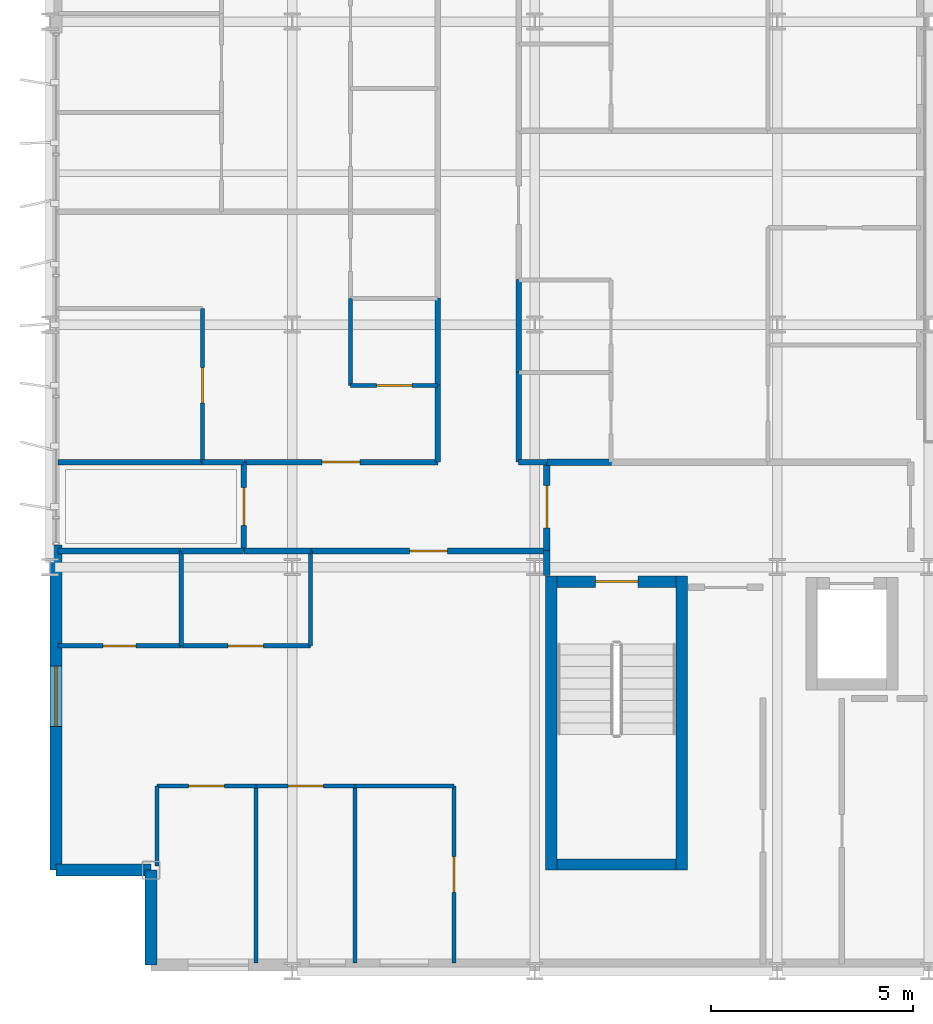
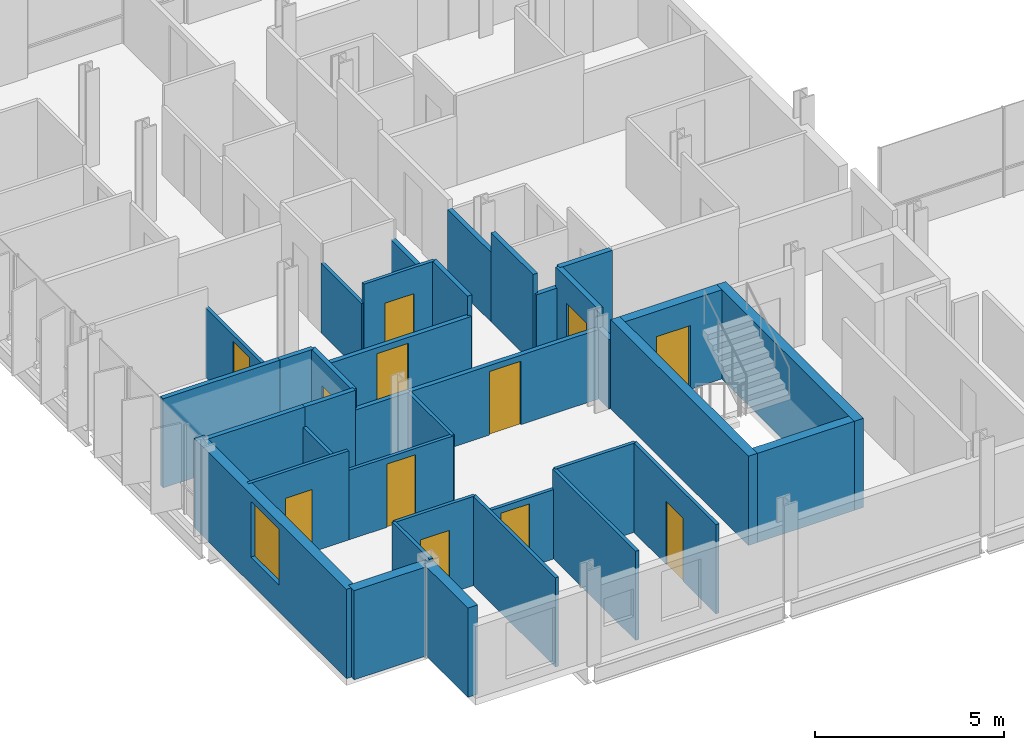
# One storey, part 27 of 38: 37 walls, 12 doors, 1 window, 13 openings.
"""IFC4 building model written with IfcOpenShell, lengths in metres."""

from ifc_helpers import new_model, si_unit, direction, frame, frame_2d, origin, place, context, subcontext, project, spatial, rectangle, extrude, material, layer, layer_set, type_object, element, fill, save


model = new_model("IFC4")

# Units and contexts
model_context = context("Model", 3, precision=1e-05, world=origin(), true_north=direction((0.0, 1.0)))
body_context = subcontext(model_context, "Body", "Model", "MODEL_VIEW")
ifc_project = project(units=[si_unit("LENGTHUNIT", "METRE"), si_unit("AREAUNIT", "SQUARE_METRE"), si_unit("VOLUMEUNIT", "CUBIC_METRE"), si_unit("PLANEANGLEUNIT", "RADIAN"), si_unit("MASSUNIT", "GRAM", prefix="KILO")], contexts=[model_context])

# Site, building, storey
site_placement = place(None, origin())
site = spatial("IfcSite", under=ifc_project, at=site_placement, CompositionType="ELEMENT")
building_placement = place(site_placement, origin())
building = spatial("IfcBuilding", under=site, at=building_placement, Name="Brevholm Reach", CompositionType="ELEMENT")
storey_placement = place(building_placement, frame((0.0, 0.0, 128.300048828125)))
storey = spatial("IfcBuildingStorey", under=building, at=storey_placement, Name="L38", CompositionType="ELEMENT", Elevation=128.300048828125)

# Walls
ifc_material_1 = material(Name="Concrete C50/60", Category="concrete")
ifc_layer_1 = layer(ifc_material_1, 0.280029296875)
ifc_layer_set_1 = layer_set([ifc_layer_1], Name="Concrete C50/60")
wall_type_1 = type_object("IfcWallType", Name="WAL-COR-280", PredefinedType="SHEAR", material=ifc_layer_set_1)
for number, where, z_axis, x_axis, name in (
    (1, (12.409912109375, 2.5, 0.0), (0.0, 0.0, 1.0), (0.0, 1.0, 0.0), "L38 Escape Stair ST-1 Core Wall W"),
    (2, (15.639892578125, 2.5, 0.0), (0.0, 0.0, 1.0), (0.0, 1.0, 0.0), "L38 Escape Stair ST-1 Core Wall E"),
):
    element("IfcWall", number, at=place(storey_placement, frame(where, z_axis=z_axis, x_axis=x_axis)), inside=storey, type_object=wall_type_1, Name=name, PredefinedType="SHEAR", context=body_context, shape_type="SweptSolid", body=[
        extrude(rectangle(XDim=7.280029296875, YDim=0.280029296875, at=frame_2d((3.64013671875, 0.0))), origin(), (0.0, 0.0, 1.0), 2.8798828125),
    ])
wall_1_placement = place(storey_placement, frame((12.550048828125, 2.639892578125, 0.0), z_axis=(0.0, 0.0, 1.0), x_axis=(1.0, 0.0, 0.0)))
element("IfcWall", 3, at=wall_1_placement, inside=storey, type_object=wall_type_1, Name="L38 Escape Stair ST-1 Core Wall S", PredefinedType="SHEAR", context=body_context, shape_type="SweptSolid", body=[
    extrude(rectangle(XDim=2.949951171875, YDim=0.280029296875, at=frame_2d((1.47509765625, 0.0))), origin(), (0.0, 0.0, 1.0), 2.8798828125),
])

# Wall, opening, door
wall_2_placement = place(storey_placement, frame((15.5, 9.639892578125, 0.0), z_axis=(0.0, 0.0, 1.0), x_axis=(-1.0, 0.0, 0.0)))
wall_2 = element("IfcWall", 4, at=wall_2_placement, inside=storey, type_object=wall_type_1, Name="L38 Escape Stair ST-1 Core Wall N", PredefinedType="SHEAR", context=body_context, shape_type="SweptSolid", body=[
    extrude(rectangle(XDim=2.949951171875, YDim=0.280029296875, at=frame_2d((1.47509765625, 0.0))), origin(), (0.0, 0.0, 1.0), 2.8798828125),
])
opening_1_placement = place(wall_2_placement, frame((0.949951171875, 0.0, 0.0)))
opening_1 = element("IfcOpeningElement", 5, at=opening_1_placement, cuts=wall_2, Name="Opening SD-ST-1", PredefinedType="OPENING", context=body_context, shape_type="SweptSolid", body=[
    extrude(rectangle(XDim=1.050048828125, YDim=2.06005859375, at=frame_2d((0.52490234375, 1.030029296875))), frame((0.0, 0.14990234375, 0.0), z_axis=(0.0, -1.0, 0.0), x_axis=(1.0, 0.0, 0.0)), (0.0, 0.0, 1.0), 0.300048828125),
])
ifc_material_2 = material(Name="Hardwood-Lipped Steel-Core Fire and Smoke Door", Category="steel")
door_type_1 = type_object("IfcDoorType", Name="DOR-INT-FD60S", OperationType="NOTDEFINED", PredefinedType="DOOR", material=ifc_material_2)
door_1_placement = place(opening_1_placement, origin())
door_1 = element("IfcDoor", 6, at=door_1_placement, inside=storey, type_object=door_type_1, Name="L38 Protected Stair ST-1 Lobby Door", OperationType="SINGLE_SWING_RIGHT", OverallHeight=2.06005859375, OverallWidth=1.050048828125, PredefinedType="DOOR", context=body_context, shape_type="SweptSolid", body=[
    extrude(rectangle(XDim=1.050048828125, YDim=2.06005859375, at=frame_2d((0.52490234375, 1.030029296875))), frame((0.0, 0.02490234375, 0.0), z_axis=(0.0, -1.0, 0.0), x_axis=(1.0, 0.0, 0.0)), (0.0, 0.0, 1.0), 0.050048828125),
])
fill(opening_1, door_1)

# Walls
ifc_material_3 = material(Name="Concrete C40/50", Category="concrete")
ifc_layer_2 = layer(ifc_material_3, 0.300048828125)
ifc_layer_set_2 = layer_set([ifc_layer_2], Name="Concrete C40/50")
wall_type_2 = type_object("IfcWallType", Name="WAL-EXT-300", PredefinedType="STANDARD", material=ifc_layer_set_2)
for number, where, z_axis, x_axis, name in (
    (7, (2.5, 2.5, 0.0), (0.0, 0.0, 1.0), (0.0, -1.0, 0.0), "L38 Facade Wall WAL-L38-CSW1"),
    (8, (0.14990234375, 2.5, 0.0), (0.0, 0.0, 1.0), (1.0, 0.0, 0.0), "L38 Facade Wall WAL-L38-CSW2"),
):
    element("IfcWall", number, at=place(storey_placement, frame(where, z_axis=z_axis, x_axis=x_axis)), inside=storey, type_object=wall_type_2, Name=name, PredefinedType="STANDARD", context=body_context, shape_type="SweptSolid", body=[
        extrude(rectangle(XDim=2.35009765625, YDim=0.300048828125, at=frame_2d((1.175048828125, 0.0))), origin(), (0.0, 0.0, 1.0), 2.8798828125),
    ])

# Wall, opening, window
wall_3_placement = place(storey_placement, frame((0.14990234375, 10.550048828125, 0.0), z_axis=(0.0, 0.0, 1.0), x_axis=(0.0, -1.0, 0.0)))
wall_3 = element("IfcWall", 9, at=wall_3_placement, inside=storey, type_object=wall_type_2, Name="L38 Facade Wall WAL-L38-W-S", PredefinedType="STANDARD", context=body_context, shape_type="SweptSolid", body=[
    extrude(rectangle(XDim=8.050048828125, YDim=0.300048828125, at=frame_2d((4.02490234375, 0.0))), origin(), (0.0, 0.0, 1.0), 2.8798828125),
])
opening_2_placement = place(wall_3_placement, frame((3.0, 0.0, 0.860107421875)))
opening_2 = element("IfcOpeningElement", 10, at=opening_2_placement, cuts=wall_3, Name="Opening WN-05", PredefinedType="OPENING", context=body_context, shape_type="SweptSolid", body=[
    extrude(rectangle(XDim=1.5, YDim=1.800048828125, at=frame_2d((0.75, 0.89990234375))), frame((0.0, 0.159912109375, 0.0), z_axis=(0.0, -1.0, 0.0), x_axis=(1.0, 0.0, 0.0)), (0.0, 0.0, 1.0), 0.320068359375),
])
ifc_material_4 = material(Name="Dark Anodised Aluminium and Solar-Control IGU Glass", Category="aluminium")
window_type = type_object("IfcWindowType", Name="WIN-RES-1500", PartitioningType="SINGLE_PANEL", PredefinedType="WINDOW", material=ifc_material_4)
window_placement = place(opening_2_placement, origin())
window = element("IfcWindow", 11, at=window_placement, inside=storey, type_object=window_type, Name="L38 Window WIN-L38-WS-1", OverallHeight=1.800048828125, OverallWidth=1.5, PartitioningType="SINGLE_PANEL", PredefinedType="WINDOW", context=body_context, shape_type="SweptSolid", body=[
    extrude(rectangle(XDim=1.5, YDim=1.800048828125, at=frame_2d((0.75, 0.89990234375))), frame((0.0, 0.030029296875, 0.0), z_axis=(0.0, -1.0, 0.0), x_axis=(1.0, 0.0, 0.0)), (0.0, 0.0, 1.0), 0.06005859375),
])
fill(opening_2, window)

# Wall
ifc_material_5 = material(Name="Moisture-Resistant Acoustic Gypsum Stud Partition 100 mm", Category="gypsum")
ifc_layer_3 = layer(ifc_material_5, 0.10009765625)
ifc_layer_set_3 = layer_set([ifc_layer_3], Name="Moisture-Resistant Acoustic Gypsum Stud Partition 100 mm")
wall_type_3 = type_object("IfcWallType", Name="WAL-PRT-100", PredefinedType="PARTITIONING", material=ifc_layer_set_3)
wall_4_placement = place(storey_placement, frame((3.25, 8.053955078125, 0.0), z_axis=(0.0, 0.0, 1.0), x_axis=(0.0, 1.0, 0.0)))
element("IfcWall", 12, at=wall_4_placement, inside=storey, type_object=wall_type_3, Name="L38 Internal Partition 059", PredefinedType="PARTITIONING", context=body_context, shape_type="SweptSolid", body=[
    extrude(rectangle(XDim=2.345947265625, YDim=0.10009765625, at=frame_2d((1.1728515625, 0.0))), origin(), (0.0, 0.0, 1.0), 2.24267578125),
])

# Wall, opening, door
wall_5_placement = place(storey_placement, frame((0.199951171875, 8.053955078125, 0.0), z_axis=(0.0, 0.0, 1.0), x_axis=(1.0, 0.0, 0.0)))
wall_5 = element("IfcWall", 13, at=wall_5_placement, inside=storey, type_object=wall_type_3, Name="L38 Internal Partition 060", PredefinedType="PARTITIONING", context=body_context, shape_type="SweptSolid", body=[
    extrude(rectangle(XDim=3.050048828125, YDim=0.10009765625, at=frame_2d((1.52490234375, 0.0))), origin(), (0.0, 0.0, 1.0), 2.8798828125),
])
opening_3_placement = place(wall_5_placement, frame((1.114990234375, 0.0, 0.0)))
opening_3 = element("IfcOpeningElement", 14, at=opening_3_placement, cuts=wall_5, Name="Opening ID-03", PredefinedType="OPENING", context=body_context, shape_type="SweptSolid", body=[
    extrude(rectangle(XDim=0.820068359375, YDim=2.02001953125, at=frame_2d((0.41015625, 1.010009765625))), frame((0.0, 0.06005859375, 0.0), z_axis=(0.0, -1.0, 0.0), x_axis=(1.0, 0.0, 0.0)), (0.0, 0.0, 1.0), 0.1201171875),
])
ifc_material_6 = material(Name="Moisture-Resistant Painted Timber Internal Bathroom Door", Category="wood")
door_type_2 = type_object("IfcDoorType", Name="DOR-BATH-820", OperationType="NOTDEFINED", PredefinedType="DOOR", material=ifc_material_6)
door_2_placement = place(opening_3_placement, origin())
door_2 = element("IfcDoor", 15, at=door_2_placement, inside=storey, type_object=door_type_2, Name="L38 Internal Door 022", OperationType="SINGLE_SWING_RIGHT", OverallHeight=2.02001953125, OverallWidth=0.820068359375, PredefinedType="DOOR", context=body_context, shape_type="SweptSolid", body=[
    extrude(rectangle(XDim=0.820068359375, YDim=2.02001953125, at=frame_2d((0.41015625, 1.010009765625))), frame((0.0, 0.02490234375, 0.0), z_axis=(0.0, -1.0, 0.0), x_axis=(1.0, 0.0, 0.0)), (0.0, 0.0, 1.0), 0.050048828125),
])
fill(opening_3, door_2)

wall_6_placement = place(storey_placement, frame((3.25390625, 8.053955078125, 0.0), z_axis=(0.0, 0.0, 1.0), x_axis=(1.0, 0.0, 0.0)))
wall_6 = element("IfcWall", 16, at=wall_6_placement, inside=storey, type_object=wall_type_3, Name="L38 Internal Partition 062", PredefinedType="PARTITIONING", context=body_context, shape_type="SweptSolid", body=[
    extrude(rectangle(XDim=3.196044921875, YDim=0.10009765625, at=frame_2d((1.59814453125, 0.0))), origin(), (0.0, 0.0, 1.0), 2.24267578125),
])
opening_4_placement = place(wall_6_placement, frame((1.157958984375, 0.0, 0.0)))
opening_4 = element("IfcOpeningElement", 17, at=opening_4_placement, cuts=wall_6, Name="Opening ID-01", PredefinedType="OPENING", context=body_context, shape_type="SweptSolid", body=[
    extrude(rectangle(XDim=0.8798828125, YDim=2.0400390625, at=frame_2d((0.43994140625, 1.02001953125))), frame((0.0, 0.06005859375, 0.0), z_axis=(0.0, -1.0, 0.0), x_axis=(1.0, 0.0, 0.0)), (0.0, 0.0, 1.0), 0.1201171875),
])
ifc_material_7 = material(Name="Lacquered Ash Solid-Core Acoustic Internal Door", Category="timber")
door_type_3 = type_object("IfcDoorType", Name="DOR-INT-880", OperationType="NOTDEFINED", PredefinedType="DOOR", material=ifc_material_7)
door_3_placement = place(opening_4_placement, origin())
door_3 = element("IfcDoor", 18, at=door_3_placement, inside=storey, type_object=door_type_3, Name="L38 Internal Door 023", OperationType="SINGLE_SWING_LEFT", OverallHeight=2.0400390625, OverallWidth=0.8798828125, PredefinedType="DOOR", context=body_context, shape_type="SweptSolid", body=[
    extrude(rectangle(XDim=0.8798828125, YDim=2.0400390625, at=frame_2d((0.43994140625, 1.02001953125))), frame((0.0, 0.02490234375, 0.0), z_axis=(0.0, -1.0, 0.0), x_axis=(1.0, 0.0, 0.0)), (0.0, 0.0, 1.0), 0.050048828125),
])
fill(opening_4, door_3)

# Walls
wall_7_placement = place(storey_placement, frame((6.449951171875, 8.053955078125, 0.0), z_axis=(0.0, 0.0, 1.0), x_axis=(0.0, 1.0, 0.0)))
element("IfcWall", 19, at=wall_7_placement, inside=storey, type_object=wall_type_3, Name="L38 Internal Partition 063", PredefinedType="PARTITIONING", context=body_context, shape_type="SweptSolid", body=[
    extrude(rectangle(XDim=2.342041015625, YDim=0.10009765625, at=frame_2d((1.1708984375, 0.0))), origin(), (0.0, 0.0, 1.0), 2.24267578125),
])
wall_8_placement = place(storey_placement, frame((5.10009765625, 0.199951171875, 0.0), z_axis=(0.0, 0.0, 1.0), x_axis=(0.0, 1.0, 0.0)))
element("IfcWall", 20, at=wall_8_placement, inside=storey, type_object=wall_type_3, Name="L38 Internal Partition 065", PredefinedType="PARTITIONING", context=body_context, shape_type="SweptSolid", body=[
    extrude(rectangle(XDim=4.385986328125, YDim=0.10009765625, at=frame_2d((2.19287109375, 0.0))), origin(), (0.0, 0.0, 1.0), 2.8798828125),
])
wall_9_placement = place(storey_placement, frame((2.64990234375, 2.599365234375, 0.0), z_axis=(0.0, 0.0, 1.0), x_axis=(0.0, 1.0, 0.0)))
element("IfcWall", 21, at=wall_9_placement, inside=storey, type_object=wall_type_3, Name="L38 Internal Partition 066", PredefinedType="PARTITIONING", context=body_context, shape_type="SweptSolid", body=[
    extrude(rectangle(XDim=1.986572265625, YDim=0.10009765625, at=frame_2d((0.9931640625, 0.0))), origin(), (0.0, 0.0, 1.0), 2.8798828125),
])

# Wall, opening, door
wall_10_placement = place(storey_placement, frame((2.64990234375, 4.5859375, 0.0), z_axis=(0.0, 0.0, 1.0), x_axis=(1.0, 0.0, 0.0)))
wall_10 = element("IfcWall", 22, at=wall_10_placement, inside=storey, type_object=wall_type_3, Name="L38 Internal Partition 067", PredefinedType="PARTITIONING", context=body_context, shape_type="SweptSolid", body=[
    extrude(rectangle(XDim=2.4501953125, YDim=0.10009765625, at=frame_2d((1.22509765625, 0.0))), origin(), (0.0, 0.0, 1.0), 2.8798828125),
])
opening_5_placement = place(wall_10_placement, frame((0.784912109375, 0.0, 0.0)))
opening_5 = element("IfcOpeningElement", 23, at=opening_5_placement, cuts=wall_10, Name="Opening ID-01", PredefinedType="OPENING", context=body_context, shape_type="SweptSolid", body=[
    extrude(rectangle(XDim=0.8798828125, YDim=2.0400390625, at=frame_2d((0.43994140625, 1.02001953125))), frame((0.0, 0.06005859375, 0.0), z_axis=(0.0, -1.0, 0.0), x_axis=(1.0, 0.0, 0.0)), (0.0, 0.0, 1.0), 0.1201171875),
])
door_4_placement = place(opening_5_placement, origin())
door_4 = element("IfcDoor", 24, at=door_4_placement, inside=storey, type_object=door_type_3, Name="L38 Internal Door 024", OperationType="SINGLE_SWING_RIGHT", OverallHeight=2.0400390625, OverallWidth=0.8798828125, PredefinedType="DOOR", context=body_context, shape_type="SweptSolid", body=[
    extrude(rectangle(XDim=0.8798828125, YDim=2.0400390625, at=frame_2d((0.43994140625, 1.02001953125))), frame((0.0, 0.02490234375, 0.0), z_axis=(0.0, -1.0, 0.0), x_axis=(1.0, 0.0, 0.0)), (0.0, 0.0, 1.0), 0.050048828125),
])
fill(opening_5, door_4)

# Wall
wall_11_placement = place(storey_placement, frame((7.550048828125, 0.199951171875, 0.0), z_axis=(0.0, 0.0, 1.0), x_axis=(0.0, 1.0, 0.0)))
element("IfcWall", 25, at=wall_11_placement, inside=storey, type_object=wall_type_3, Name="L38 Internal Partition 068", PredefinedType="PARTITIONING", context=body_context, shape_type="SweptSolid", body=[
    extrude(rectangle(XDim=4.385986328125, YDim=0.10009765625, at=frame_2d((2.19287109375, 0.0))), origin(), (0.0, 0.0, 1.0), 2.8798828125),
])

# Wall, opening, door
wall_12_placement = place(storey_placement, frame((5.10400390625, 4.5859375, 0.0), z_axis=(0.0, 0.0, 1.0), x_axis=(1.0, 0.0, 0.0)))
wall_12 = element("IfcWall", 26, at=wall_12_placement, inside=storey, type_object=wall_type_3, Name="L38 Internal Partition 069", PredefinedType="PARTITIONING", context=body_context, shape_type="SweptSolid", body=[
    extrude(rectangle(XDim=2.446044921875, YDim=0.10009765625, at=frame_2d((1.22314453125, 0.0))), origin(), (0.0, 0.0, 1.0), 2.24267578125),
])
opening_6_placement = place(wall_12_placement, frame((0.782958984375, 0.0, 0.0)))
opening_6 = element("IfcOpeningElement", 27, at=opening_6_placement, cuts=wall_12, Name="Opening ID-01", PredefinedType="OPENING", context=body_context, shape_type="SweptSolid", body=[
    extrude(rectangle(XDim=0.8798828125, YDim=2.0400390625, at=frame_2d((0.43994140625, 1.02001953125))), frame((0.0, 0.06005859375, 0.0), z_axis=(0.0, -1.0, 0.0), x_axis=(1.0, 0.0, 0.0)), (0.0, 0.0, 1.0), 0.1201171875),
])
door_5_placement = place(opening_6_placement, origin())
door_5 = element("IfcDoor", 28, at=door_5_placement, inside=storey, type_object=door_type_3, Name="L38 Internal Door 025", OperationType="SINGLE_SWING_LEFT", OverallHeight=2.0400390625, OverallWidth=0.8798828125, PredefinedType="DOOR", context=body_context, shape_type="SweptSolid", body=[
    extrude(rectangle(XDim=0.8798828125, YDim=2.0400390625, at=frame_2d((0.43994140625, 1.02001953125))), frame((0.0, 0.02490234375, 0.0), z_axis=(0.0, -1.0, 0.0), x_axis=(1.0, 0.0, 0.0)), (0.0, 0.0, 1.0), 0.050048828125),
])
fill(opening_6, door_5)

wall_13_placement = place(storey_placement, frame((10.0, 0.199951171875, 0.0), z_axis=(0.0, 0.0, 1.0), x_axis=(0.0, 1.0, 0.0)))
wall_13 = element("IfcWall", 29, at=wall_13_placement, inside=storey, type_object=wall_type_3, Name="L38 Internal Partition 070", PredefinedType="PARTITIONING", context=body_context, shape_type="SweptSolid", body=[
    extrude(rectangle(XDim=4.385986328125, YDim=0.10009765625, at=frame_2d((2.19287109375, 0.0))), origin(), (0.0, 0.0, 1.0), 2.8798828125),
])
opening_7_placement = place(wall_13_placement, frame((1.7529296875, 0.0, 0.0)))
opening_7 = element("IfcOpeningElement", 30, at=opening_7_placement, cuts=wall_13, Name="Opening ID-01", PredefinedType="OPENING", context=body_context, shape_type="SweptSolid", body=[
    extrude(rectangle(XDim=0.8798828125, YDim=2.0400390625, at=frame_2d((0.43994140625, 1.02001953125))), frame((0.0, 0.06005859375, 0.0), z_axis=(0.0, -1.0, 0.0), x_axis=(1.0, 0.0, 0.0)), (0.0, 0.0, 1.0), 0.1201171875),
])
door_6_placement = place(opening_7_placement, origin())
door_6 = element("IfcDoor", 31, at=door_6_placement, inside=storey, type_object=door_type_3, Name="L38 Internal Door 026", OperationType="SINGLE_SWING_RIGHT", OverallHeight=2.0400390625, OverallWidth=0.8798828125, PredefinedType="DOOR", context=body_context, shape_type="SweptSolid", body=[
    extrude(rectangle(XDim=0.8798828125, YDim=2.0400390625, at=frame_2d((0.43994140625, 1.02001953125))), frame((0.0, 0.02490234375, 0.0), z_axis=(0.0, -1.0, 0.0), x_axis=(1.0, 0.0, 0.0)), (0.0, 0.0, 1.0), 0.050048828125),
])
fill(opening_7, door_6)

# Wall
wall_14_placement = place(storey_placement, frame((7.553955078125, 4.5859375, 0.0), z_axis=(0.0, 0.0, 1.0), x_axis=(1.0, 0.0, 0.0)))
element("IfcWall", 32, at=wall_14_placement, inside=storey, type_object=wall_type_3, Name="L38 Internal Partition 071", PredefinedType="PARTITIONING", context=body_context, shape_type="SweptSolid", body=[
    extrude(rectangle(XDim=2.446044921875, YDim=0.10009765625, at=frame_2d((1.22314453125, 0.0))), origin(), (0.0, 0.0, 1.0), 2.8798828125),
])

# Wall, opening, door
wall_15_placement = place(storey_placement, frame((7.43798828125, 14.5, 0.0), z_axis=(0.0, 0.0, 1.0), x_axis=(1.0, 0.0, 0.0)))
wall_15 = element("IfcWall", 33, at=wall_15_placement, inside=storey, type_object=wall_type_3, Name="L38 Internal Partition 087", PredefinedType="PARTITIONING", context=body_context, shape_type="SweptSolid", body=[
    extrude(rectangle(XDim=2.157958984375, YDim=0.10009765625, at=frame_2d((1.0791015625, 0.0))), origin(), (0.0, 0.0, 1.0), 2.8798828125),
])
opening_8_placement = place(wall_15_placement, frame((0.638916015625, 0.0, 0.0)))
opening_8 = element("IfcOpeningElement", 34, at=opening_8_placement, cuts=wall_15, Name="Opening ID-01", PredefinedType="OPENING", context=body_context, shape_type="SweptSolid", body=[
    extrude(rectangle(XDim=0.8798828125, YDim=2.0400390625, at=frame_2d((0.43994140625, 1.02001953125))), frame((0.0, 0.06005859375, 0.0), z_axis=(0.0, -1.0, 0.0), x_axis=(1.0, 0.0, 0.0)), (0.0, 0.0, 1.0), 0.1201171875),
])
door_7_placement = place(opening_8_placement, origin())
door_7 = element("IfcDoor", 35, at=door_7_placement, inside=storey, type_object=door_type_3, Name="L38 Internal Door 031", OperationType="SINGLE_SWING_LEFT", OverallHeight=2.0400390625, OverallWidth=0.8798828125, PredefinedType="DOOR", context=body_context, shape_type="SweptSolid", body=[
    extrude(rectangle(XDim=0.8798828125, YDim=2.0400390625, at=frame_2d((0.43994140625, 1.02001953125))), frame((0.0, 0.02490234375, 0.0), z_axis=(0.0, -1.0, 0.0), x_axis=(1.0, 0.0, 0.0)), (0.0, 0.0, 1.0), 0.050048828125),
])
fill(opening_8, door_7)

# Wall
wall_16_placement = place(storey_placement, frame((7.43798828125, 14.5, 0.0), z_axis=(0.0, 0.0, 1.0), x_axis=(0.0, 1.0, 0.0)))
element("IfcWall", 36, at=wall_16_placement, inside=storey, type_object=wall_type_3, Name="L38 Internal Partition 088", PredefinedType="PARTITIONING", context=body_context, shape_type="SweptSolid", body=[
    extrude(rectangle(XDim=2.14599609375, YDim=0.10009765625, at=frame_2d((1.072998046875, 0.0))), origin(), (0.0, 0.0, 1.0), 2.24267578125),
])

# Wall, opening, door
wall_17_placement = place(storey_placement, frame((3.77197265625, 12.60400390625, 0.0), z_axis=(0.0, 0.0, 1.0), x_axis=(0.0, 1.0, 0.0)))
wall_17 = element("IfcWall", 37, at=wall_17_placement, inside=storey, type_object=wall_type_3, Name="L38 Internal Partition 089", PredefinedType="PARTITIONING", context=body_context, shape_type="SweptSolid", body=[
    extrude(rectangle(XDim=3.7958984375, YDim=0.10009765625, at=frame_2d((1.89794921875, 0.0))), origin(), (0.0, 0.0, 1.0), 2.24267578125),
])
opening_9_placement = place(wall_17_placement, frame((1.4580078125, 0.0, 0.0)))
opening_9 = element("IfcOpeningElement", 38, at=opening_9_placement, cuts=wall_17, Name="Opening ID-01", PredefinedType="OPENING", context=body_context, shape_type="SweptSolid", body=[
    extrude(rectangle(XDim=0.8798828125, YDim=2.0400390625, at=frame_2d((0.43994140625, 1.02001953125))), frame((0.0, 0.06005859375, 0.0), z_axis=(0.0, -1.0, 0.0), x_axis=(1.0, 0.0, 0.0)), (0.0, 0.0, 1.0), 0.1201171875),
])
door_8_placement = place(opening_9_placement, origin())
door_8 = element("IfcDoor", 39, at=door_8_placement, inside=storey, type_object=door_type_3, Name="L38 Internal Door 032", OperationType="SINGLE_SWING_RIGHT", OverallHeight=2.0400390625, OverallWidth=0.8798828125, PredefinedType="DOOR", context=body_context, shape_type="SweptSolid", body=[
    extrude(rectangle(XDim=0.8798828125, YDim=2.0400390625, at=frame_2d((0.43994140625, 1.02001953125))), frame((0.0, 0.02490234375, 0.0), z_axis=(0.0, -1.0, 0.0), x_axis=(1.0, 0.0, 0.0)), (0.0, 0.0, 1.0), 0.050048828125),
])
fill(opening_9, door_8)

# Wall
ifc_material_8 = material(Name="Twin-Stud Acoustic Fire-Rated Gypsum Partition 140 mm", Category="gypsum")
ifc_layer_4 = layer(ifc_material_8, 0.139892578125)
ifc_layer_set_4 = layer_set([ifc_layer_4], Name="Twin-Stud Acoustic Fire-Rated Gypsum Partition 140 mm")
wall_type_4 = type_object("IfcWallType", Name="WAL-PRT-140", PredefinedType="PARTITIONING", material=ifc_layer_set_4)
wall_18_placement = place(storey_placement, frame((4.800048828125, 10.39990234375, 0.0), z_axis=(0.0, 0.0, 1.0), x_axis=(1.0, 0.0, 0.0)))
element("IfcWall", 40, at=wall_18_placement, inside=storey, type_object=wall_type_4, Name="L38 Internal Partition 023", PredefinedType="PARTITIONING", context=body_context, shape_type="SweptSolid", body=[
    extrude(rectangle(XDim=1.6611328125, YDim=0.139892578125, at=frame_2d((0.83056640625, 0.0))), origin(), (0.0, 0.0, 1.0), 2.24267578125),
])

# Wall, opening, door
wall_19_placement = place(storey_placement, frame((6.442626953125, 10.39990234375, 0.0), z_axis=(0.0, 0.0, 1.0), x_axis=(1.0, 0.0, 0.0)))
wall_19 = element("IfcWall", 41, at=wall_19_placement, inside=storey, type_object=wall_type_4, Name="L38 Internal Partition 024", PredefinedType="PARTITIONING", context=body_context, shape_type="SweptSolid", body=[
    extrude(rectangle(XDim=5.853271484375, YDim=0.139892578125, at=frame_2d((2.9267578125, 0.0))), origin(), (0.0, 0.0, 1.0), 2.24267578125),
])
opening_10_placement = place(wall_19_placement, frame((2.45166015625, 0.0, 0.0)))
opening_10 = element("IfcOpeningElement", 42, at=opening_10_placement, cuts=wall_19, Name="Opening ID-30", PredefinedType="OPENING", context=body_context, shape_type="SweptSolid", body=[
    extrude(rectangle(XDim=0.949951171875, YDim=2.050048828125, at=frame_2d((0.47509765625, 1.02490234375))), frame((0.0, 0.079833984375, 0.0), z_axis=(0.0, -1.0, 0.0), x_axis=(1.0, 0.0, 0.0)), (0.0, 0.0, 1.0), 0.159912109375),
])
ifc_material_9 = material(Name="European Oak Veneered Solid-Core Fire Entrance Door", Category="timber")
door_type_4 = type_object("IfcDoorType", Name="DOR-FLT-FD30S", OperationType="NOTDEFINED", PredefinedType="DOOR", material=ifc_material_9)
door_9_placement = place(opening_10_placement, origin())
door_9 = element("IfcDoor", 43, at=door_9_placement, inside=storey, type_object=door_type_4, Name="L38 Internal Door 012", OperationType="SINGLE_SWING_RIGHT", OverallHeight=2.050048828125, OverallWidth=0.949951171875, PredefinedType="DOOR", context=body_context, shape_type="SweptSolid", body=[
    extrude(rectangle(XDim=0.949951171875, YDim=2.050048828125, at=frame_2d((0.47509765625, 1.02490234375))), frame((0.0, 0.02490234375, 0.0), z_axis=(0.0, -1.0, 0.0), x_axis=(1.0, 0.0, 0.0)), (0.0, 0.0, 1.0), 0.050048828125),
])
fill(opening_10, door_9)

wall_20_placement = place(storey_placement, frame((4.800048828125, 10.39990234375, 0.0), z_axis=(0.0, 0.0, 1.0), x_axis=(0.0, 1.0, 0.0)))
wall_20 = element("IfcWall", 44, at=wall_20_placement, inside=storey, type_object=wall_type_4, Name="L38 Internal Partition 025", PredefinedType="PARTITIONING", context=body_context, shape_type="SweptSolid", body=[
    extrude(rectangle(XDim=2.2001953125, YDim=0.139892578125, at=frame_2d((1.10009765625, 0.0))), origin(), (0.0, 0.0, 1.0), 2.8798828125),
])
opening_11_placement = place(wall_20_placement, frame((0.625, 0.0, 0.0)))
opening_11 = element("IfcOpeningElement", 45, at=opening_11_placement, cuts=wall_20, Name="Opening ID-30", PredefinedType="OPENING", context=body_context, shape_type="SweptSolid", body=[
    extrude(rectangle(XDim=0.949951171875, YDim=2.050048828125, at=frame_2d((0.47509765625, 1.02490234375))), frame((0.0, 0.079833984375, 0.0), z_axis=(0.0, -1.0, 0.0), x_axis=(1.0, 0.0, 0.0)), (0.0, 0.0, 1.0), 0.159912109375),
])
door_10_placement = place(opening_11_placement, origin())
door_10 = element("IfcDoor", 46, at=door_10_placement, inside=storey, type_object=door_type_4, Name="L38 Internal Door 013", OperationType="SINGLE_SWING_LEFT", OverallHeight=2.050048828125, OverallWidth=0.949951171875, PredefinedType="DOOR", context=body_context, shape_type="SweptSolid", body=[
    extrude(rectangle(XDim=0.949951171875, YDim=2.050048828125, at=frame_2d((0.47509765625, 1.02490234375))), frame((0.0, 0.02490234375, 0.0), z_axis=(0.0, -1.0, 0.0), x_axis=(1.0, 0.0, 0.0)), (0.0, 0.0, 1.0), 0.050048828125),
])
fill(opening_11, door_10)

wall_21_placement = place(storey_placement, frame((4.800048828125, 12.60009765625, 0.0), z_axis=(0.0, 0.0, 1.0), x_axis=(1.0, 0.0, 0.0)))
wall_21 = element("IfcWall", 47, at=wall_21_placement, inside=storey, type_object=wall_type_4, Name="L38 Internal Partition 026", PredefinedType="PARTITIONING", context=body_context, shape_type="SweptSolid", body=[
    extrude(rectangle(XDim=4.807373046875, YDim=0.139892578125, at=frame_2d((2.40380859375, 0.0))), origin(), (0.0, 0.0, 1.0), 2.24267578125),
])
opening_12_placement = place(wall_21_placement, frame((1.9287109375, 0.0, 0.0)))
opening_12 = element("IfcOpeningElement", 48, at=opening_12_placement, cuts=wall_21, Name="Opening ID-30", PredefinedType="OPENING", context=body_context, shape_type="SweptSolid", body=[
    extrude(rectangle(XDim=0.949951171875, YDim=2.050048828125, at=frame_2d((0.47509765625, 1.02490234375))), frame((0.0, 0.079833984375, 0.0), z_axis=(0.0, -1.0, 0.0), x_axis=(1.0, 0.0, 0.0)), (0.0, 0.0, 1.0), 0.159912109375),
])
door_11_placement = place(opening_12_placement, origin())
door_11 = element("IfcDoor", 49, at=door_11_placement, inside=storey, type_object=door_type_4, Name="L38 Internal Door 014", OperationType="SINGLE_SWING_RIGHT", OverallHeight=2.050048828125, OverallWidth=0.949951171875, PredefinedType="DOOR", context=body_context, shape_type="SweptSolid", body=[
    extrude(rectangle(XDim=0.949951171875, YDim=2.050048828125, at=frame_2d((0.47509765625, 1.02490234375))), frame((0.0, 0.02490234375, 0.0), z_axis=(0.0, -1.0, 0.0), x_axis=(1.0, 0.0, 0.0)), (0.0, 0.0, 1.0), 0.050048828125),
])
fill(opening_12, door_11)

# Walls
wall_22_placement = place(storey_placement, frame((11.5927734375, 12.60009765625, 0.0), z_axis=(0.0, 0.0, 1.0), x_axis=(1.0, 0.0, 0.0)))
element("IfcWall", 50, at=wall_22_placement, inside=storey, type_object=wall_type_4, Name="L38 Internal Partition 027", PredefinedType="PARTITIONING", context=body_context, shape_type="SweptSolid", body=[
    extrude(rectangle(XDim=0.703125, YDim=0.139892578125, at=frame_2d((0.3515625, 0.0))), origin(), (0.0, 0.0, 1.0), 2.24267578125),
])
wall_23_placement = place(storey_placement, frame((9.60009765625, 14.48876953125, 0.0), z_axis=(0.0, 0.0, 1.0), x_axis=(0.0, 1.0, 0.0)))
element("IfcWall", 51, at=wall_23_placement, inside=storey, type_object=wall_type_4, Name="L38 Internal Partition 032", PredefinedType="PARTITIONING", context=body_context, shape_type="SweptSolid", body=[
    extrude(rectangle(XDim=2.16845703125, YDim=0.139892578125, at=frame_2d((1.084228515625, 0.0))), origin(), (0.0, 0.0, 1.0), 2.24267578125),
])
wall_24_placement = place(storey_placement, frame((9.60009765625, 12.60400390625, 0.0), z_axis=(0.0, 0.0, 1.0), x_axis=(0.0, 1.0, 0.0)))
element("IfcWall", 52, at=wall_24_placement, inside=storey, type_object=wall_type_4, Name="L38 Internal Partition 033", PredefinedType="PARTITIONING", context=body_context, shape_type="SweptSolid", body=[
    extrude(rectangle(XDim=1.9033203125, YDim=0.139892578125, at=frame_2d((0.95166015625, 0.0))), origin(), (0.0, 0.0, 1.0), 2.8798828125),
])
wall_25_placement = place(storey_placement, frame((11.60009765625, 12.60400390625, 0.0), z_axis=(0.0, 0.0, 1.0), x_axis=(0.0, 1.0, 0.0)))
element("IfcWall", 53, at=wall_25_placement, inside=storey, type_object=wall_type_4, Name="L38 Internal Partition 037", PredefinedType="PARTITIONING", context=body_context, shape_type="SweptSolid", body=[
    extrude(rectangle(XDim=2.22119140625, YDim=0.139892578125, at=frame_2d((1.110595703125, 0.0))), origin(), (0.0, 0.0, 1.0), 2.8798828125),
])
wall_26_placement = place(storey_placement, frame((11.60009765625, 14.806640625, 0.0), z_axis=(0.0, 0.0, 1.0), x_axis=(0.0, 1.0, 0.0)))
element("IfcWall", 54, at=wall_26_placement, inside=storey, type_object=wall_type_4, Name="L38 Internal Partition 038", PredefinedType="PARTITIONING", context=body_context, shape_type="SweptSolid", body=[
    extrude(rectangle(XDim=2.314697265625, YDim=0.139892578125, at=frame_2d((1.1572265625, 0.0))), origin(), (0.0, 0.0, 1.0), 2.24267578125),
])
wall_27_placement = place(storey_placement, frame((0.199951171875, 10.39990234375, 0.0), z_axis=(0.0, 0.0, 1.0), x_axis=(1.0, 0.0, 0.0)))
element("IfcWall", 55, at=wall_27_placement, inside=storey, type_object=wall_type_4, Name="L38 Internal Partition 061", PredefinedType="PARTITIONING", context=body_context, shape_type="SweptSolid", body=[
    extrude(rectangle(XDim=3.050048828125, YDim=0.139892578125, at=frame_2d((1.52490234375, 0.0))), origin(), (0.0, 0.0, 1.0), 2.8798828125),
])
wall_28_placement = place(storey_placement, frame((3.25390625, 10.39990234375, 0.0), z_axis=(0.0, 0.0, 1.0), x_axis=(1.0, 0.0, 0.0)))
element("IfcWall", 56, at=wall_28_placement, inside=storey, type_object=wall_type_4, Name="L38 Internal Partition 064", PredefinedType="PARTITIONING", context=body_context, shape_type="SweptSolid", body=[
    extrude(rectangle(XDim=1.5419921875, YDim=0.139892578125, at=frame_2d((0.77099609375, 0.0))), origin(), (0.0, 0.0, 1.0), 2.8798828125),
])
wall_29_placement = place(storey_placement, frame((0.199951171875, 12.60009765625, 0.0), z_axis=(0.0, 0.0, 1.0), x_axis=(1.0, 0.0, 0.0)))
element("IfcWall", 57, at=wall_29_placement, inside=storey, type_object=wall_type_4, Name="L38 Internal Partition 072", PredefinedType="PARTITIONING", context=body_context, shape_type="SweptSolid", body=[
    extrude(rectangle(XDim=3.583251953125, YDim=0.139892578125, at=frame_2d((1.79150390625, 0.0))), origin(), (0.0, 0.0, 1.0), 2.8798828125),
])
wall_30_placement = place(storey_placement, frame((3.7646484375, 12.60009765625, 0.0), z_axis=(0.0, 0.0, 1.0), x_axis=(1.0, 0.0, 0.0)))
element("IfcWall", 58, at=wall_30_placement, inside=storey, type_object=wall_type_4, Name="L38 Internal Partition 073", PredefinedType="PARTITIONING", context=body_context, shape_type="SweptSolid", body=[
    extrude(rectangle(XDim=1.03125, YDim=0.139892578125, at=frame_2d((0.515625, 0.0))), origin(), (0.0, 0.0, 1.0), 2.8798828125),
])

# Wall, opening, door
ifc_material_10 = material(Name="Twin-Frame Fire-Rated Gypsum Board and Mineral Wool 160 mm", Category="gypsum")
ifc_layer_5 = layer(ifc_material_10, 0.159912109375)
ifc_layer_set_5 = layer_set([ifc_layer_5], Name="Twin-Frame Fire-Rated Gypsum Board and Mineral Wool 160 mm")
wall_type_5 = type_object("IfcWallType", Name="WAL-PRT-160", PredefinedType="PARTITIONING", material=ifc_layer_set_5)
wall_31_placement = place(storey_placement, frame((12.300048828125, 10.388671875, 0.0), z_axis=(0.0, 0.0, 1.0), x_axis=(0.0, 1.0, 0.0)))
wall_31 = element("IfcWall", 59, at=wall_31_placement, inside=storey, type_object=wall_type_5, Name="L38 Internal Partition 014", PredefinedType="PARTITIONING", context=body_context, shape_type="SweptSolid", body=[
    extrude(rectangle(XDim=2.21142578125, YDim=0.159912109375, at=frame_2d((1.105712890625, 0.0))), origin(), (0.0, 0.0, 1.0), 2.8798828125),
])
opening_13_placement = place(wall_31_placement, frame((0.58056640625, 0.0, 0.0)))
opening_13 = element("IfcOpeningElement", 60, at=opening_13_placement, cuts=wall_31, Name="Opening FD-01", PredefinedType="OPENING", context=body_context, shape_type="SweptSolid", body=[
    extrude(rectangle(XDim=1.050048828125, YDim=2.06005859375, at=frame_2d((0.52490234375, 1.030029296875))), frame((0.0, 0.08984375, 0.0), z_axis=(0.0, -1.0, 0.0), x_axis=(1.0, 0.0, 0.0)), (0.0, 0.0, 1.0), 0.179931640625),
])
door_12_placement = place(opening_13_placement, origin())
door_12 = element("IfcDoor", 61, at=door_12_placement, inside=storey, type_object=door_type_1, Name="L38 Internal Door 008", OperationType="SINGLE_SWING_RIGHT", OverallHeight=2.06005859375, OverallWidth=1.050048828125, PredefinedType="DOOR", context=body_context, shape_type="SweptSolid", body=[
    extrude(rectangle(XDim=1.050048828125, YDim=2.06005859375, at=frame_2d((0.52490234375, 1.030029296875))), frame((0.0, 0.02490234375, 0.0), z_axis=(0.0, -1.0, 0.0), x_axis=(1.0, 0.0, 0.0)), (0.0, 0.0, 1.0), 0.050048828125),
])
fill(opening_13, door_12)

# Walls
wall_32_placement = place(storey_placement, frame((12.300048828125, 9.7900390625, 0.0), z_axis=(0.0, 0.0, 1.0), x_axis=(0.0, 1.0, 0.0)))
element("IfcWall", 62, at=wall_32_placement, inside=storey, type_object=wall_type_5, Name="L38 Internal Partition 016", PredefinedType="PARTITIONING", context=body_context, shape_type="SweptSolid", body=[
    extrude(rectangle(XDim=0.6171875, YDim=0.159912109375, at=frame_2d((0.30859375, 0.0))), origin(), (0.0, 0.0, 1.0), 2.24267578125),
])
wall_33_placement = place(storey_placement, frame((12.300048828125, 12.60009765625, 0.0), z_axis=(0.0, 0.0, 1.0), x_axis=(1.0, 0.0, 0.0)))
element("IfcWall", 63, at=wall_33_placement, inside=storey, type_object=wall_type_5, Name="L38 Internal Partition 017", PredefinedType="PARTITIONING", context=body_context, shape_type="SweptSolid", body=[
    extrude(rectangle(XDim=1.600341796875, YDim=0.159912109375, at=frame_2d((0.80029296875, 0.0))), origin(), (0.0, 0.0, 1.0), 2.8798828125),
])

save(model, "model.ifc")
